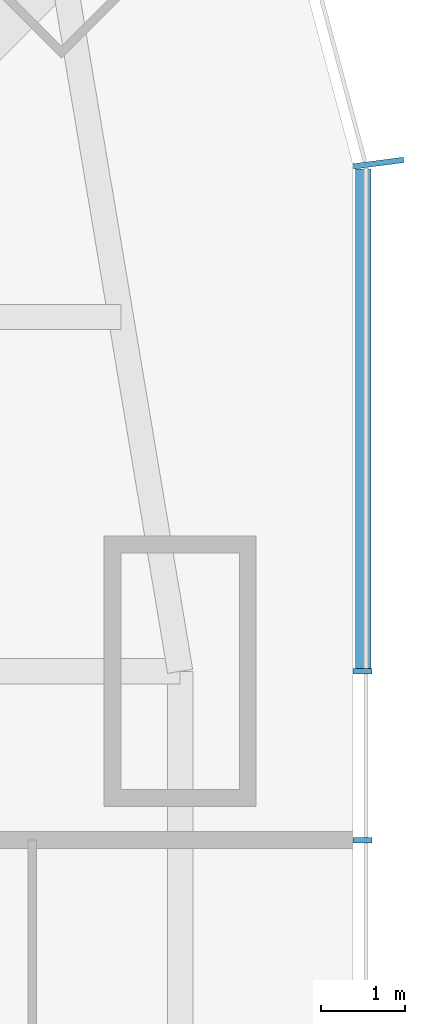
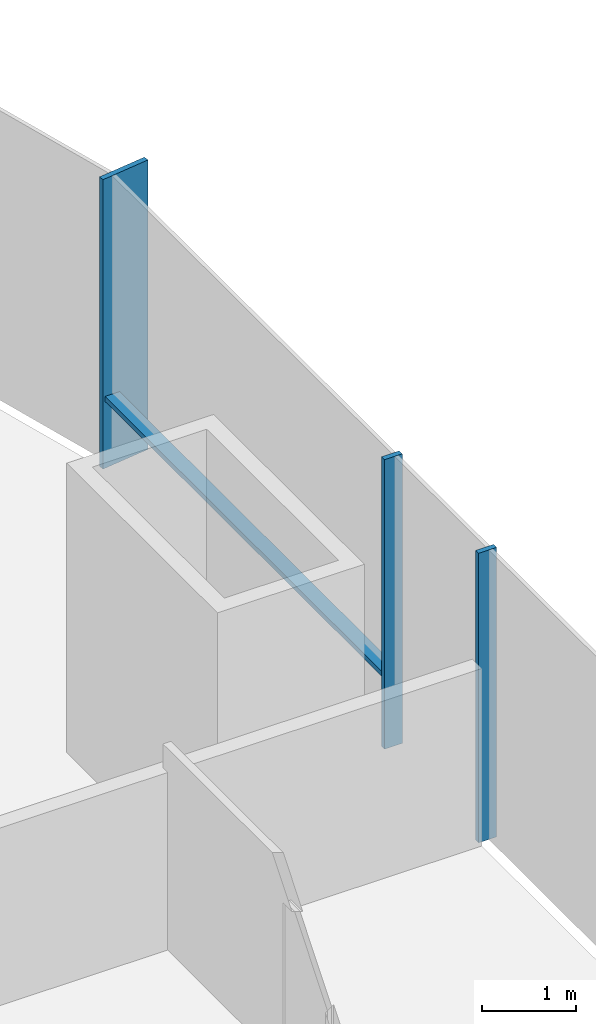
# One storey, part 10 of 20: 4 members, 2 elements without a shape of their own.
"""IFC4 building model written with IfcOpenShell, lengths in metres."""

from ifc_helpers import new_model, si_unit, direction, frame, origin, origin_2d, place, context, subcontext, project, spatial, rectangle, extrude, material, material_profile, profile_set, type_object, element, aggregate, save


model = new_model("IFC4")

# Units and contexts
model_context = context("Model", 3, precision=1e-05, world=origin(), true_north=direction((0.0, 1.0)))
body_context = subcontext(model_context, "Body", "Model", "MODEL_VIEW")
ifc_project = project(units=[si_unit("LENGTHUNIT", "METRE"), si_unit("AREAUNIT", "SQUARE_METRE"), si_unit("VOLUMEUNIT", "CUBIC_METRE"), si_unit("PLANEANGLEUNIT", "RADIAN"), si_unit("MASSUNIT", "GRAM", prefix="KILO")], contexts=[model_context])

# Site, building, storey
site_placement = place(None, origin())
site = spatial("IfcSite", under=ifc_project, at=site_placement, CompositionType="ELEMENT")
building_placement = place(site_placement, origin())
building = spatial("IfcBuilding", under=site, at=building_placement, Name="Khuree Lantern Residences", CompositionType="ELEMENT")
storey_placement = place(building_placement, frame((0.0, 0.0, 32.25)))
storey = spatial("IfcBuildingStorey", under=building, at=storey_placement, Name="L07", CompositionType="ELEMENT", Elevation=32.25)

# Curtain wall, member
ifc_material = material(Name="Bronze anodised aluminium", Category="aluminium")
curtain_wall_type_1 = type_object("IfcCurtainWallType", Name="CW-T2 TOWER CORNER CURTAIN WALL", PredefinedType="USERDEFINED", material=ifc_material)
curtain_wall_1_placement = place(storey_placement, origin())
curtain_wall_1 = element("IfcCurtainWall", 1, at=curtain_wall_1_placement, inside=storey, type_object=curtain_wall_type_1, Name="L07 NORTH-EAST CORNER CURTAIN WALL", ObjectType="Faceted corner curtain wall", PredefinedType="USERDEFINED")
ifc_material_profile_1 = material_profile(ifc_material, rectangle(XDim=0.06494140625, YDim=0.60009765625, at=origin_2d()), Name="F1 65X600")
ifc_profile_set_1 = profile_set([ifc_material_profile_1], Name="Bronze anodised aluminium")
member_type_1 = type_object("IfcMemberType", Name="F1 BRONZE FIN MULLION TOWER 65X600", PredefinedType="MULLION", material=ifc_profile_set_1)
member_1_placement = place(storey_placement, frame((32.150146484375, 26.019775390625, 0.0), z_axis=(0.0, 0.0, 1.0), x_axis=(-0.130526257387, 0.991444852794, 0.0)))
member_1 = element("IfcMember", 2, at=member_1_placement, type_object=member_type_1, Name="L07 NORTH-EAST CORNER FIN MULLION 15", PredefinedType="MULLION", context=body_context, shape_type="SweptSolid", body=[
    extrude(rectangle(XDim=0.06494140625, YDim=0.60009765625, at=origin_2d()), origin(), (0.0, 0.0, 1.0), 3.75),
])
aggregate(curtain_wall_1, [member_1])

# Curtain wall, members
curtain_wall_type_2 = type_object("IfcCurtainWallType", Name="CW-T1 TOWER FACE CURTAIN WALL", PredefinedType="USERDEFINED", material=ifc_material)
curtain_wall_2_placement = place(storey_placement, origin())
curtain_wall_2 = element("IfcCurtainWall", 3, at=curtain_wall_2_placement, inside=storey, type_object=curtain_wall_type_2, Name="L07 EAST FACE CURTAIN WALL", ObjectType="Stick-built curtain wall", PredefinedType="USERDEFINED")
ifc_material_profile_2 = material_profile(ifc_material, rectangle(XDim=0.06494140625, YDim=0.219970703125, at=origin_2d()), Name="M1 65X220")
ifc_profile_set_2 = profile_set([ifc_material_profile_2], Name="Bronze anodised aluminium")
member_type_2 = type_object("IfcMemberType", Name="M1 BRONZE MULLION TOWER 65X220", PredefinedType="MULLION", material=ifc_profile_set_2)
member_2_placement = place(storey_placement, frame((31.9599609375, 18.0, 0.0), z_axis=(0.0, 0.0, 1.0), x_axis=(0.0, 1.0, 0.0)))
member_2 = element("IfcMember", 4, at=member_2_placement, type_object=member_type_2, Name="L07 EAST FACE MULLION 13", PredefinedType="MULLION", context=body_context, shape_type="SweptSolid", body=[
    extrude(rectangle(XDim=0.06494140625, YDim=0.219970703125, at=origin_2d()), origin(), (0.0, 0.0, 1.0), 3.75),
])
member_3_placement = place(storey_placement, frame((31.9599609375, 20.0, 0.0), z_axis=(0.0, 0.0, 1.0), x_axis=(0.0, 1.0, 0.0)))
member_3 = element("IfcMember", 5, at=member_3_placement, type_object=member_type_2, Name="L07 EAST FACE MULLION 14", PredefinedType="MULLION", context=body_context, shape_type="SweptSolid", body=[
    extrude(rectangle(XDim=0.06494140625, YDim=0.219970703125, at=origin_2d()), origin(), (0.0, 0.0, 1.0), 3.75),
])
ifc_material_profile_3 = material_profile(ifc_material, rectangle(XDim=0.179931640625, YDim=0.06494140625, at=origin_2d()), Name="T1 180X65")
ifc_profile_set_3 = profile_set([ifc_material_profile_3], Name="Bronze anodised aluminium")
member_type_3 = type_object("IfcMemberType", Name="TRANSOM T1 TOWER 180X65", PredefinedType="USERDEFINED", material=ifc_profile_set_3)
member_4_placement = place(storey_placement, frame((31.969970703125, 20.032470703125, 0.89990234375), z_axis=(0.0, 1.0, 0.0), x_axis=(-1.0, 0.0, 0.0)))
member_4 = element("IfcMember", 6, at=member_4_placement, type_object=member_type_3, Name="L07 EAST FACE TRANSOM 14.1", ObjectType="Transom", PredefinedType="USERDEFINED", context=body_context, shape_type="SweptSolid", body=[
    extrude(rectangle(XDim=0.179931640625, YDim=0.06494140625, at=origin_2d()), origin(), (0.0, 0.0, 1.0), 5.9189453125),
])
aggregate(curtain_wall_2, [member_2, member_3, member_4])

save(model, "model.ifc")
